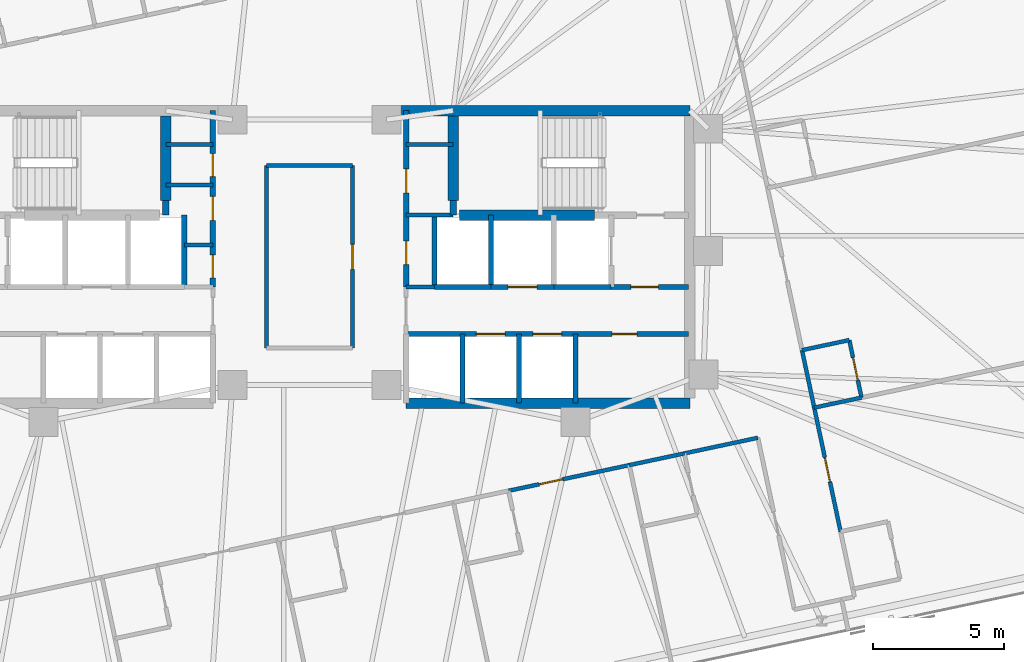
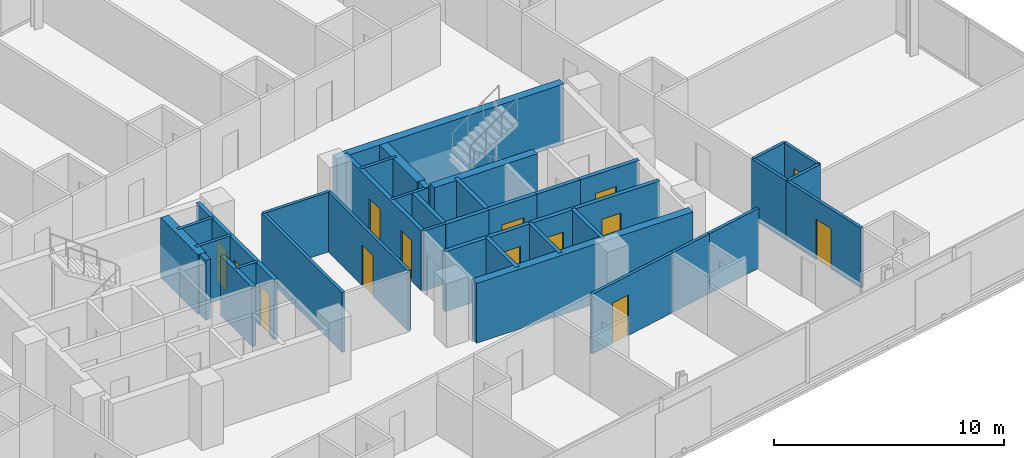
# One storey, part 16 of 20: 37 walls, 14 doors, 14 openings.
"""IFC4 building model written with IfcOpenShell, lengths in metres."""

from ifc_helpers import new_model, si_unit, direction, frame, frame_2d, origin, place, context, subcontext, project, spatial, rectangle, extrude, material, layer, layer_set, type_object, element, fill, save


model = new_model("IFC4")

# Units and contexts
model_context = context("Model", 3, precision=1e-05, world=origin(), true_north=direction((0.0, 1.0)))
body_context = subcontext(model_context, "Body", "Model", "MODEL_VIEW")
ifc_project = project(units=[si_unit("LENGTHUNIT", "METRE"), si_unit("AREAUNIT", "SQUARE_METRE"), si_unit("VOLUMEUNIT", "CUBIC_METRE"), si_unit("PLANEANGLEUNIT", "RADIAN"), si_unit("MASSUNIT", "GRAM", prefix="KILO")], contexts=[model_context])

# Site, building, storey
site_placement = place(None, origin())
site = spatial("IfcSite", under=ifc_project, at=site_placement, CompositionType="ELEMENT")
building_placement = place(site_placement, origin())
building = spatial("IfcBuilding", under=site, at=building_placement, Name="Menara Jurai Vektor", CompositionType="ELEMENT")
storey_placement = place(building_placement, frame((0.0, 0.0, 178.60009765625)))
storey = spatial("IfcBuildingStorey", under=building, at=storey_placement, Name="L46", CompositionType="ELEMENT", Elevation=178.60009765625)

# Walls
ifc_material_1 = material(Name="Concrete C40/50", Category="concrete")
ifc_layer_1 = layer(ifc_material_1, 0.25)
ifc_layer_set_1 = layer_set([ifc_layer_1], Name="Concrete C40/50")
wall_type_1 = type_object("IfcWallType", Name="INT-WALL-CORE-250", PredefinedType="STANDARD", material=ifc_layer_set_1)
for number, where, z_axis, x_axis, name in (
    (1, (-5.5, 1.60009765625, 0.0), (0.0, 0.0, 1.0), (0.0, 1.0, 0.0), "Interior Wall IW-250 L46"),
    (2, (5.5, 1.60009765625, 0.0), (0.0, 0.0, 1.0), (0.0, 1.0, 0.0), "Interior Wall IW-250 L46"),
):
    element("IfcWall", number, at=place(storey_placement, frame(where, z_axis=z_axis, x_axis=x_axis)), inside=storey, type_object=wall_type_1, Name=name, PredefinedType="STANDARD", context=body_context, shape_type="SweptSolid", body=[
        extrude(rectangle(XDim=0.5498046875, YDim=0.25, at=frame_2d((0.27490234375, 0.0))), origin(), (0.0, 0.0, 1.0), 3.1748046875),
    ])

# Wall, opening, door
wall_1_placement = place(storey_placement, frame((11.550048828125, -1.14990234375, 0.0), z_axis=(0.0, 0.0, 1.0), x_axis=(1.0, 0.0, 0.0)))
wall_1 = element("IfcWall", 3, at=wall_1_placement, inside=storey, type_object=wall_type_1, Name="Interior Wall IW-250 L46", PredefinedType="STANDARD", context=body_context, shape_type="SweptSolid", body=[
    extrude(rectangle(XDim=2.949951171875, YDim=0.199951171875, at=frame_2d((1.47509765625, 0.0))), origin(), (0.0, 0.0, 1.0), 3.1748046875),
])
opening_1_placement = place(wall_1_placement, frame((0.75, 0.0, 0.0)))
opening_1 = element("IfcOpeningElement", 4, at=opening_1_placement, cuts=wall_1, Name="Opening D-L46-FFE", PredefinedType="OPENING", context=body_context, shape_type="SweptSolid", body=[
    extrude(rectangle(XDim=1.050048828125, YDim=2.179931640625, at=frame_2d((0.52490234375, 1.08984375))), frame((0.0, 0.10986328125, 0.0), z_axis=(0.0, -1.0, 0.0), x_axis=(1.0, 0.0, 0.0)), (0.0, 0.0, 1.0), 0.219970703125),
])
ifc_material_2 = material(Name="Fire-Rated Timber Door", Category="wood")
door_type_1 = type_object("IfcDoorType", Name="DR-LOBBY-1050", OperationType="NOTDEFINED", PredefinedType="DOOR", material=ifc_material_2)
door_1_placement = place(opening_1_placement, origin())
door_1 = element("IfcDoor", 5, at=door_1_placement, inside=storey, type_object=door_type_1, Name="Fire Lift Lobby Door E L46", OperationType="SINGLE_SWING_LEFT", OverallHeight=2.179931640625, OverallWidth=1.050048828125, PredefinedType="DOOR", context=body_context, shape_type="SweptSolid", body=[
    extrude(rectangle(XDim=1.050048828125, YDim=2.179931640625, at=frame_2d((0.52490234375, 1.08984375))), frame((0.0, 0.02490234375, 0.0), z_axis=(0.0, -1.0, 0.0), x_axis=(1.0, 0.0, 0.0)), (0.0, 0.0, 1.0), 0.050048828125),
])
fill(opening_1, door_1)

# Walls
wall_2_placement = place(storey_placement, frame((9.35009765625, -1.14990234375, 0.0), z_axis=(0.0, 0.0, 1.0), x_axis=(1.0, 0.0, 0.0)))
element("IfcWall", 6, at=wall_2_placement, inside=storey, type_object=wall_type_1, Name="Interior Wall IW-250 L46", PredefinedType="STANDARD", context=body_context, shape_type="SweptSolid", body=[
    extrude(rectangle(XDim=2.199951171875, YDim=0.199951171875, at=frame_2d((1.10009765625, 0.0))), origin(), (0.0, 0.0, 1.0), 3.1748046875),
])
ifc_material_3 = material(Name="Gypsum Fireboard Partition", Category="gypsum")
ifc_layer_2 = layer(ifc_material_3, 0.14990234375)
ifc_layer_set_2 = layer_set([ifc_layer_2], Name="Gypsum Fireboard Partition")
wall_type_2 = type_object("IfcWallType", Name="INT-WALL-CORR-150", PredefinedType="PARTITIONING", material=ifc_layer_set_2)
wall_3_placement = place(storey_placement, frame((3.699951171875, -1.14990234375, 0.0), z_axis=(0.0, 0.0, 1.0), x_axis=(1.0, 0.0, 0.0)))
element("IfcWall", 7, at=wall_3_placement, inside=storey, type_object=wall_type_2, Name="Interior Wall IW-150 L46", PredefinedType="PARTITIONING", context=body_context, shape_type="SweptSolid", body=[
    extrude(rectangle(XDim=1.090087890625, YDim=0.14990234375, at=frame_2d((0.544921875, 0.0))), origin(), (0.0, 0.0, 1.0), 3.1748046875),
])
wall_4_placement = place(storey_placement, frame((-5.5, 4.300048828125, 0.0), z_axis=(0.0, 0.0, 1.0), x_axis=(1.0, 0.0, 0.0)))
element("IfcWall", 8, at=wall_4_placement, inside=storey, type_object=wall_type_2, Name="Interior Wall IW-150 L46", PredefinedType="PARTITIONING", context=body_context, shape_type="SweptSolid", body=[
    extrude(rectangle(XDim=1.800048828125, YDim=0.14990234375, at=frame_2d((0.89990234375, 0.0))), origin(), (0.0, 0.0, 1.0), 3.1748046875),
])
wall_5_placement = place(storey_placement, frame((-4.7900390625, 0.449951171875, 0.0), z_axis=(0.0, 0.0, 1.0), x_axis=(1.0, 0.0, 0.0)))
element("IfcWall", 9, at=wall_5_placement, inside=storey, type_object=wall_type_2, Name="Interior Wall IW-150 L46", PredefinedType="PARTITIONING", context=body_context, shape_type="SweptSolid", body=[
    extrude(rectangle(XDim=1.090087890625, YDim=0.14990234375, at=frame_2d((0.544921875, 0.0))), origin(), (0.0, 0.0, 1.0), 3.1748046875),
])
for number, where, z_axis, x_axis, name in (
    (10, (-5.5, 2.75, 0.0), (0.0, 0.0, 1.0), (1.0, 0.0, 0.0), "Interior Wall IW-150 L46"),
    (11, (3.699951171875, 4.300048828125, 0.0), (0.0, 0.0, 1.0), (1.0, 0.0, 0.0), "Interior Wall IW-150 L46"),
    (12, (3.699951171875, 1.60009765625, 0.0), (0.0, 0.0, 1.0), (1.0, 0.0, 0.0), "Interior Wall IW-150 L46"),
):
    element("IfcWall", number, at=place(storey_placement, frame(where, z_axis=z_axis, x_axis=x_axis)), inside=storey, type_object=wall_type_2, Name=name, PredefinedType="PARTITIONING", context=body_context, shape_type="SweptSolid", body=[
        extrude(rectangle(XDim=1.800048828125, YDim=0.14990234375, at=frame_2d((0.89990234375, 0.0))), origin(), (0.0, 0.0, 1.0), 3.1748046875),
    ])
wall_6_placement = place(storey_placement, frame((-1.64990234375, -3.489501953125, 0.0), z_axis=(0.0, 0.0, 1.0), x_axis=(-3.4979712e-05, 0.999999999388, 0.0)))
element("IfcWall", 13, at=wall_6_placement, inside=storey, type_object=wall_type_2, Name="Interior Wall IW-150 L46", PredefinedType="PARTITIONING", context=body_context, shape_type="SweptSolid", body=[
    extrude(rectangle(XDim=6.9794921875, YDim=0.14990234375, at=frame_2d((3.48974609375, 0.0))), origin(), (0.0, 0.0, 1.0), 3.1748046875),
])
wall_7_placement = place(storey_placement, frame((-1.650146484375, 3.489990234375, 0.0), z_axis=(0.0, 0.0, 1.0), x_axis=(1.0, 0.0, 0.0)))
element("IfcWall", 14, at=wall_7_placement, inside=storey, type_object=wall_type_2, Name="Interior Wall IW-150 L46", PredefinedType="PARTITIONING", context=body_context, shape_type="SweptSolid", body=[
    extrude(rectangle(XDim=3.300048828125, YDim=0.14990234375, at=frame_2d((1.64990234375, 0.0))), origin(), (0.0, 0.0, 1.0), 3.1748046875),
])

# Wall, opening, door
wall_8_placement = place(storey_placement, frame((1.650390625, -3.490234375, 0.0), z_axis=(0.0, 0.0, 1.0), x_axis=(-6.9952083e-05, 0.999999997553, 0.0)))
wall_8 = element("IfcWall", 15, at=wall_8_placement, inside=storey, type_object=wall_type_2, Name="Interior Wall IW-150 L46", PredefinedType="PARTITIONING", context=body_context, shape_type="SweptSolid", body=[
    extrude(rectangle(XDim=6.980224609375, YDim=0.14990234375, at=frame_2d((3.490234375, 0.0))), origin(), (0.0, 0.0, 1.0), 3.1748046875),
])
opening_2_placement = place(wall_8_placement, frame((3.01513671875, 0.0, 0.0)))
opening_2 = element("IfcOpeningElement", 16, at=opening_2_placement, cuts=wall_8, Name="Opening D46-08", PredefinedType="OPENING", context=body_context, shape_type="SweptSolid", body=[
    extrude(rectangle(XDim=0.949951171875, YDim=2.14990234375, at=frame_2d((0.47509765625, 1.074951171875))), frame((0.0, 0.0849609375, 0.0), z_axis=(0.0, -1.0, 0.0), x_axis=(1.0, 0.0, 0.0)), (0.0, 0.0, 1.0), 0.169921875),
])
ifc_material_4 = material(Name="Solid Core Timber Fire Door", Category="wood")
door_type_2 = type_object("IfcDoorType", Name="DR-ENTRY-950", OperationType="NOTDEFINED", PredefinedType="DOOR", material=ifc_material_4)
door_2_placement = place(opening_2_placement, origin())
door_2 = element("IfcDoor", 17, at=door_2_placement, inside=storey, type_object=door_type_2, Name="Interior Door D46-08", OperationType="SINGLE_SWING_LEFT", OverallHeight=2.14990234375, OverallWidth=0.949951171875, PredefinedType="DOOR", context=body_context, shape_type="SweptSolid", body=[
    extrude(rectangle(XDim=0.949951171875, YDim=2.14990234375, at=frame_2d((0.47509765625, 1.074951171875))), frame((0.0, 0.02490234375, 0.0), z_axis=(0.0, -1.0, 0.0), x_axis=(1.0, 0.0, 0.0)), (0.0, 0.0, 1.0), 0.050048828125),
])
fill(opening_2, door_2)

wall_9_placement = place(storey_placement, frame((7.61767578125, -8.9541015625, 0.0), z_axis=(0.0, 0.0, 1.0), x_axis=(0.978140347221, 0.207945812984, 0.0)))
wall_9 = element("IfcWall", 18, at=wall_9_placement, inside=storey, type_object=wall_type_2, Name="Interior Wall IW-150 L46", PredefinedType="PARTITIONING", context=body_context, shape_type="SweptSolid", body=[
    extrude(rectangle(XDim=4.72900390625, YDim=0.14990234375, at=frame_2d((2.364501953125, 0.0))), origin(), (0.0, 0.0, 1.0), 3.1748046875),
])
opening_3_placement = place(wall_9_placement, frame((1.1953125, 0.0, 0.0)))
opening_3 = element("IfcOpeningElement", 19, at=opening_3_placement, cuts=wall_9, Name="Opening D46-25", PredefinedType="OPENING", context=body_context, shape_type="SweptSolid", body=[
    extrude(rectangle(XDim=0.919921875, YDim=2.14990234375, at=frame_2d((0.4599609375, 1.074951171875))), frame((0.0, 0.0849609375, 0.0), z_axis=(0.0, -1.0, 0.0), x_axis=(1.0, 0.0, 0.0)), (0.0, 0.0, 1.0), 0.169921875),
])
door_3_placement = place(opening_3_placement, origin())
door_3 = element("IfcDoor", 20, at=door_3_placement, inside=storey, type_object=door_type_2, Name="Interior Door D46-25", OperationType="SINGLE_SWING_RIGHT", OverallHeight=2.14990234375, OverallWidth=0.919921875, PredefinedType="DOOR", context=body_context, shape_type="SweptSolid", body=[
    extrude(rectangle(XDim=0.919921875, YDim=2.14990234375, at=frame_2d((0.4599609375, 1.074951171875))), frame((0.0, 0.02490234375, 0.0), z_axis=(0.0, -1.0, 0.0), x_axis=(1.0, 0.0, 0.0)), (0.0, 0.0, 1.0), 0.050048828125),
])
fill(opening_3, door_3)

# Walls
wall_10_placement = place(storey_placement, frame((14.346435546875, -7.523681640625, 0.0), z_axis=(0.0, 0.0, 1.0), x_axis=(0.97816208355, 0.207843542851, 0.0)))
element("IfcWall", 21, at=wall_10_placement, inside=storey, type_object=wall_type_2, Name="Interior Wall IW-150 L46", PredefinedType="PARTITIONING", context=body_context, shape_type="SweptSolid", body=[
    extrude(rectangle(XDim=2.879150390625, YDim=0.14990234375, at=frame_2d((1.439453125, 0.0))), origin(), (0.0, 0.0, 1.0), 3.1748046875),
])
wall_11_placement = place(storey_placement, frame((12.243408203125, -7.970703125, 0.0), z_axis=(0.0, 0.0, 1.0), x_axis=(0.978146728319, 0.207915795165, 0.0)))
element("IfcWall", 22, at=wall_11_placement, inside=storey, type_object=wall_type_2, Name="Interior Wall IW-150 L46", PredefinedType="PARTITIONING", context=body_context, shape_type="SweptSolid", body=[
    extrude(rectangle(XDim=2.14990234375, YDim=0.14990234375, at=frame_2d((1.074951171875, 0.0))), origin(), (0.0, 0.0, 1.0), 3.1748046875),
])

# Wall, opening, door
wall_12_placement = place(storey_placement, frame((20.328125, -10.515380859375, 0.0), z_axis=(0.0, 0.0, 1.0), x_axis=(-0.207950868925, 0.97813927235, 0.0)))
wall_12 = element("IfcWall", 23, at=wall_12_placement, inside=storey, type_object=wall_type_2, Name="Interior Wall IW-150 L46", PredefinedType="PARTITIONING", context=body_context, shape_type="SweptSolid", body=[
    extrude(rectangle(XDim=4.849853515625, YDim=0.14990234375, at=frame_2d((2.4248046875, 0.0))), origin(), (0.0, 0.0, 1.0), 3.1748046875),
])
opening_4_placement = place(wall_12_placement, frame((1.949951171875, 0.0, 0.0)))
opening_4 = element("IfcOpeningElement", 24, at=opening_4_placement, cuts=wall_12, Name="Opening D46-39", PredefinedType="OPENING", context=body_context, shape_type="SweptSolid", body=[
    extrude(rectangle(XDim=0.949951171875, YDim=2.14990234375, at=frame_2d((0.47509765625, 1.074951171875))), frame((0.0, 0.0849609375, 0.0), z_axis=(0.0, -1.0, 0.0), x_axis=(1.0, 0.0, 0.0)), (0.0, 0.0, 1.0), 0.169921875),
])
door_4_placement = place(opening_4_placement, origin())
door_4 = element("IfcDoor", 25, at=door_4_placement, inside=storey, type_object=door_type_2, Name="Interior Door D46-39", OperationType="SINGLE_SWING_RIGHT", OverallHeight=2.14990234375, OverallWidth=0.949951171875, PredefinedType="DOOR", context=body_context, shape_type="SweptSolid", body=[
    extrude(rectangle(XDim=0.949951171875, YDim=2.14990234375, at=frame_2d((0.47509765625, 1.074951171875))), frame((0.0, 0.02490234375, 0.0), z_axis=(0.0, -1.0, 0.0), x_axis=(1.0, 0.0, 0.0)), (0.0, 0.0, 1.0), 0.050048828125),
])
fill(opening_4, door_4)

# Walls
wall_13_placement = place(storey_placement, frame((19.319580078125, -5.771484375, 0.0), z_axis=(0.0, 0.0, 1.0), x_axis=(-0.207913264065, 0.978147266328, 0.0)))
element("IfcWall", 26, at=wall_13_placement, inside=storey, type_object=wall_type_2, Name="Interior Wall IW-150 L46", PredefinedType="PARTITIONING", context=body_context, shape_type="SweptSolid", body=[
    extrude(rectangle(XDim=2.249755859375, YDim=0.14990234375, at=frame_2d((1.125, 0.0))), origin(), (0.0, 0.0, 1.0), 3.1748046875),
])
wall_14_placement = place(storey_placement, frame((19.319580078125, -5.771484375, 0.0), z_axis=(0.0, 0.0, 1.0), x_axis=(0.978165892835, 0.207825614625, 0.0)))
element("IfcWall", 27, at=wall_14_placement, inside=storey, type_object=wall_type_2, Name="Interior Wall IW-150 L46", PredefinedType="PARTITIONING", context=body_context, shape_type="SweptSolid", body=[
    extrude(rectangle(XDim=1.85009765625, YDim=0.14990234375, at=frame_2d((0.925048828125, 0.0))), origin(), (0.0, 0.0, 1.0), 3.1748046875),
])
wall_15_placement = place(storey_placement, frame((18.851806640625, -3.57080078125, 0.0), z_axis=(0.0, 0.0, 1.0), x_axis=(0.978139061018, 0.207951862966, 0.0)))
element("IfcWall", 28, at=wall_15_placement, inside=storey, type_object=wall_type_2, Name="Interior Wall IW-150 L46", PredefinedType="PARTITIONING", context=body_context, shape_type="SweptSolid", body=[
    extrude(rectangle(XDim=1.850341796875, YDim=0.14990234375, at=frame_2d((0.92529296875, 0.0))), origin(), (0.0, 0.0, 1.0), 3.1748046875),
])

# Wall, opening, door
wall_16_placement = place(storey_placement, frame((21.12939453125, -5.386962890625, 0.0), z_axis=(0.0, 0.0, 1.0), x_axis=(-0.207891197838, 0.978151956427, 0.0)))
wall_16 = element("IfcWall", 29, at=wall_16_placement, inside=storey, type_object=wall_type_2, Name="Interior Wall IW-150 L46", PredefinedType="PARTITIONING", context=body_context, shape_type="SweptSolid", body=[
    extrude(rectangle(XDim=2.25, YDim=0.14990234375, at=frame_2d((1.125, 0.0))), origin(), (0.0, 0.0, 1.0), 3.1748046875),
])
opening_5_placement = place(wall_16_placement, frame((0.68505859375, 0.0, 0.0)))
opening_5 = element("IfcOpeningElement", 30, at=opening_5_placement, cuts=wall_16, Name="Opening D46-42", PredefinedType="OPENING", context=body_context, shape_type="SweptSolid", body=[
    extrude(rectangle(XDim=0.8798828125, YDim=2.14990234375, at=frame_2d((0.43994140625, 1.074951171875))), frame((0.0, 0.0849609375, 0.0), z_axis=(0.0, -1.0, 0.0), x_axis=(1.0, 0.0, 0.0)), (0.0, 0.0, 1.0), 0.169921875),
])
ifc_material_5 = material(Name="Moisture-Resistant Timber Door", Category="wood")
door_type_3 = type_object("IfcDoorType", Name="DR-BATH-880", OperationType="NOTDEFINED", PredefinedType="DOOR", material=ifc_material_5)
door_5_placement = place(opening_5_placement, origin())
door_5 = element("IfcDoor", 31, at=door_5_placement, inside=storey, type_object=door_type_3, Name="Interior Door D46-42", OperationType="SINGLE_SWING_LEFT", OverallHeight=2.14990234375, OverallWidth=0.8798828125, PredefinedType="DOOR", context=body_context, shape_type="SweptSolid", body=[
    extrude(rectangle(XDim=0.8798828125, YDim=2.14990234375, at=frame_2d((0.43994140625, 1.074951171875))), frame((0.0, 0.02490234375, 0.0), z_axis=(0.0, -1.0, 0.0), x_axis=(1.0, 0.0, 0.0)), (0.0, 0.0, 1.0), 0.050048828125),
])
fill(opening_5, door_5)

# Wall, openings, doors
ifc_layer_3 = layer(ifc_material_1, 0.199951171875)
ifc_layer_set_3 = layer_set([ifc_layer_3], Name="Concrete C40/50")
wall_type_3 = type_object("IfcWallType", Name="INT-WALL-SHAFT-200", PredefinedType="STANDARD", material=ifc_layer_set_3)
wall_17_placement = place(storey_placement, frame((-3.699951171875, -1.14990234375, 0.0), z_axis=(0.0, 0.0, 1.0), x_axis=(0.0, 1.0, 0.0)))
wall_17 = element("IfcWall", 32, at=wall_17_placement, inside=storey, type_object=wall_type_3, Name="Interior Wall IW-200 L46", PredefinedType="STANDARD", context=body_context, shape_type="SweptSolid", body=[
    extrude(rectangle(XDim=6.75, YDim=0.199951171875, at=frame_2d((3.375, 0.0))), origin(), (0.0, 0.0, 1.0), 3.1748046875),
])
opening_6_placement = place(wall_17_placement, frame((0.35009765625, 0.0, 0.0)))
opening_6 = element("IfcOpeningElement", 33, at=opening_6_placement, cuts=wall_17, Name="Opening D46-02", PredefinedType="OPENING", context=body_context, shape_type="SweptSolid", body=[
    extrude(rectangle(XDim=0.8798828125, YDim=2.14990234375, at=frame_2d((0.43994140625, 1.074951171875))), frame((0.0, 0.10986328125, 0.0), z_axis=(0.0, -1.0, 0.0), x_axis=(1.0, 0.0, 0.0)), (0.0, 0.0, 1.0), 0.219970703125),
])
opening_7_placement = place(wall_17_placement, frame((2.550048828125, 0.0, 0.0)))
opening_7 = element("IfcOpeningElement", 34, at=opening_7_placement, cuts=wall_17, Name="Opening D46-03", PredefinedType="OPENING", context=body_context, shape_type="SweptSolid", body=[
    extrude(rectangle(XDim=0.919921875, YDim=2.14990234375, at=frame_2d((0.4599609375, 1.074951171875))), frame((0.0, 0.10986328125, 0.0), z_axis=(0.0, -1.0, 0.0), x_axis=(1.0, 0.0, 0.0)), (0.0, 0.0, 1.0), 0.219970703125),
])
opening_8_placement = place(wall_17_placement, frame((4.219970703125, 0.0, 0.0)))
opening_8 = element("IfcOpeningElement", 35, at=opening_8_placement, cuts=wall_17, Name="Opening D46-04", PredefinedType="OPENING", context=body_context, shape_type="SweptSolid", body=[
    extrude(rectangle(XDim=0.8798828125, YDim=2.14990234375, at=frame_2d((0.43994140625, 1.074951171875))), frame((0.0, 0.10986328125, 0.0), z_axis=(0.0, -1.0, 0.0), x_axis=(1.0, 0.0, 0.0)), (0.0, 0.0, 1.0), 0.219970703125),
])
door_6_placement = place(opening_6_placement, origin())
door_6 = element("IfcDoor", 36, at=door_6_placement, inside=storey, type_object=door_type_2, Name="Interior Door D46-02", OperationType="SINGLE_SWING_LEFT", OverallHeight=2.14990234375, OverallWidth=0.8798828125, PredefinedType="DOOR", context=body_context, shape_type="SweptSolid", body=[
    extrude(rectangle(XDim=0.8798828125, YDim=2.14990234375, at=frame_2d((0.43994140625, 1.074951171875))), frame((0.0, 0.02490234375, 0.0), z_axis=(0.0, -1.0, 0.0), x_axis=(1.0, 0.0, 0.0)), (0.0, 0.0, 1.0), 0.050048828125),
])
fill(opening_6, door_6)
door_7_placement = place(opening_7_placement, origin())
door_7 = element("IfcDoor", 37, at=door_7_placement, inside=storey, type_object=door_type_2, Name="Interior Door D46-03", OperationType="SINGLE_SWING_LEFT", OverallHeight=2.14990234375, OverallWidth=0.919921875, PredefinedType="DOOR", context=body_context, shape_type="SweptSolid", body=[
    extrude(rectangle(XDim=0.919921875, YDim=2.14990234375, at=frame_2d((0.4599609375, 1.074951171875))), frame((0.0, 0.02490234375, 0.0), z_axis=(0.0, -1.0, 0.0), x_axis=(1.0, 0.0, 0.0)), (0.0, 0.0, 1.0), 0.050048828125),
])
fill(opening_7, door_7)
door_8_placement = place(opening_8_placement, origin())
door_8 = element("IfcDoor", 38, at=door_8_placement, inside=storey, type_object=door_type_2, Name="Interior Door D46-04", OperationType="SINGLE_SWING_LEFT", OverallHeight=2.14990234375, OverallWidth=0.8798828125, PredefinedType="DOOR", context=body_context, shape_type="SweptSolid", body=[
    extrude(rectangle(XDim=0.8798828125, YDim=2.14990234375, at=frame_2d((0.43994140625, 1.074951171875))), frame((0.0, 0.02490234375, 0.0), z_axis=(0.0, -1.0, 0.0), x_axis=(1.0, 0.0, 0.0)), (0.0, 0.0, 1.0), 0.050048828125),
])
fill(opening_8, door_8)

# Wall
wall_18_placement = place(storey_placement, frame((-4.7900390625, -1.14990234375, 0.0), z_axis=(0.0, 0.0, 1.0), x_axis=(0.0, 1.0, 0.0)))
element("IfcWall", 39, at=wall_18_placement, inside=storey, type_object=wall_type_3, Name="Interior Wall IW-200 L46", PredefinedType="STANDARD", context=body_context, shape_type="SweptSolid", body=[
    extrude(rectangle(XDim=2.75, YDim=0.199951171875, at=frame_2d((1.375, 0.0))), origin(), (0.0, 0.0, 1.0), 3.1748046875),
])

# Wall, openings, doors
wall_19_placement = place(storey_placement, frame((3.699951171875, -1.14990234375, 0.0), z_axis=(0.0, 0.0, 1.0), x_axis=(0.0, 1.0, 0.0)))
wall_19 = element("IfcWall", 40, at=wall_19_placement, inside=storey, type_object=wall_type_3, Name="Interior Wall IW-200 L46", PredefinedType="STANDARD", context=body_context, shape_type="SweptSolid", body=[
    extrude(rectangle(XDim=6.75, YDim=0.199951171875, at=frame_2d((3.375, 0.0))), origin(), (0.0, 0.0, 1.0), 3.1748046875),
])
opening_9_placement = place(wall_19_placement, frame((3.60009765625, 0.0, 0.0)))
opening_9 = element("IfcOpeningElement", 41, at=opening_9_placement, cuts=wall_19, Name="Opening D46-06", PredefinedType="OPENING", context=body_context, shape_type="SweptSolid", body=[
    extrude(rectangle(XDim=0.919921875, YDim=2.14990234375, at=frame_2d((0.4599609375, 1.074951171875))), frame((0.0, 0.10986328125, 0.0), z_axis=(0.0, -1.0, 0.0), x_axis=(1.0, 0.0, 0.0)), (0.0, 0.0, 1.0), 0.219970703125),
])
opening_10_placement = place(wall_19_placement, frame((0.85009765625, 0.0, 0.0)))
opening_10 = element("IfcOpeningElement", 42, at=opening_10_placement, cuts=wall_19, Name="Opening D46-07", PredefinedType="OPENING", context=body_context, shape_type="SweptSolid", body=[
    extrude(rectangle(XDim=0.89990234375, YDim=2.14990234375, at=frame_2d((0.449951171875, 1.074951171875))), frame((0.0, 0.10986328125, 0.0), z_axis=(0.0, -1.0, 0.0), x_axis=(1.0, 0.0, 0.0)), (0.0, 0.0, 1.0), 0.219970703125),
])
door_9_placement = place(opening_9_placement, origin())
door_9 = element("IfcDoor", 43, at=door_9_placement, inside=storey, type_object=door_type_2, Name="Interior Door D46-06", OperationType="SINGLE_SWING_RIGHT", OverallHeight=2.14990234375, OverallWidth=0.919921875, PredefinedType="DOOR", context=body_context, shape_type="SweptSolid", body=[
    extrude(rectangle(XDim=0.919921875, YDim=2.14990234375, at=frame_2d((0.4599609375, 1.074951171875))), frame((0.0, 0.02490234375, 0.0), z_axis=(0.0, -1.0, 0.0), x_axis=(1.0, 0.0, 0.0)), (0.0, 0.0, 1.0), 0.050048828125),
])
fill(opening_9, door_9)
door_10_placement = place(opening_10_placement, origin())
door_10 = element("IfcDoor", 44, at=door_10_placement, inside=storey, type_object=door_type_2, Name="Interior Door D46-07", OperationType="SINGLE_SWING_RIGHT", OverallHeight=2.14990234375, OverallWidth=0.89990234375, PredefinedType="DOOR", context=body_context, shape_type="SweptSolid", body=[
    extrude(rectangle(XDim=0.89990234375, YDim=2.14990234375, at=frame_2d((0.449951171875, 1.074951171875))), frame((0.0, 0.02490234375, 0.0), z_axis=(0.0, -1.0, 0.0), x_axis=(1.0, 0.0, 0.0)), (0.0, 0.0, 1.0), 0.050048828125),
])
fill(opening_10, door_10)

# Wall
wall_20_placement = place(storey_placement, frame((6.949951171875, -1.14990234375, 0.0), z_axis=(0.0, 0.0, 1.0), x_axis=(0.0, 1.0, 0.0)))
element("IfcWall", 45, at=wall_20_placement, inside=storey, type_object=wall_type_3, Name="Interior Wall IW-200 L46", PredefinedType="STANDARD", context=body_context, shape_type="SweptSolid", body=[
    extrude(rectangle(XDim=2.75, YDim=0.199951171875, at=frame_2d((1.375, 0.0))), origin(), (0.0, 0.0, 1.0), 3.1748046875),
])

# Wall, opening, door
wall_21_placement = place(storey_placement, frame((6.949951171875, -1.14990234375, 0.0), z_axis=(0.0, 0.0, 1.0), x_axis=(1.0, 0.0, 0.0)))
wall_21 = element("IfcWall", 46, at=wall_21_placement, inside=storey, type_object=wall_type_3, Name="Interior Wall IW-200 L46", PredefinedType="STANDARD", context=body_context, shape_type="SweptSolid", body=[
    extrude(rectangle(XDim=2.400146484375, YDim=0.199951171875, at=frame_2d((1.2001953125, 0.0))), origin(), (0.0, 0.0, 1.0), 3.1748046875),
])
opening_11_placement = place(wall_21_placement, frame((0.64990234375, 0.0, 0.0)))
opening_11 = element("IfcOpeningElement", 47, at=opening_11_placement, cuts=wall_21, Name="Opening LD-L46-SVL2", PredefinedType="OPENING", context=body_context, shape_type="SweptSolid", body=[
    extrude(rectangle(XDim=1.10009765625, YDim=2.14990234375, at=frame_2d((0.550048828125, 1.074951171875))), frame((0.0, 0.10986328125, 0.0), z_axis=(0.0, -1.0, 0.0), x_axis=(1.0, 0.0, 0.0)), (0.0, 0.0, 1.0), 0.219970703125),
])
ifc_material_6 = material(Name="Anodised Stainless Sliding Lift Landing Door", Category="steel")
door_type_4 = type_object("IfcDoorType", Name="DR-LIFT-PASS-1100", OperationType="NOTDEFINED", PredefinedType="DOOR", material=ifc_material_6)
door_11_placement = place(opening_11_placement, origin())
door_11 = element("IfcDoor", 48, at=door_11_placement, inside=storey, type_object=door_type_4, Name="Lift Landing Door SVL2 L46", OperationType="SLIDING_TO_RIGHT", OverallHeight=2.14990234375, OverallWidth=1.10009765625, PredefinedType="DOOR", context=body_context, shape_type="SweptSolid", body=[
    extrude(rectangle(XDim=1.10009765625, YDim=2.14990234375, at=frame_2d((0.550048828125, 1.074951171875))), frame((0.0, 0.02490234375, 0.0), z_axis=(0.0, -1.0, 0.0), x_axis=(1.0, 0.0, 0.0)), (0.0, 0.0, 1.0), 0.050048828125),
])
fill(opening_11, door_11)

# Walls
wall_22_placement = place(storey_placement, frame((4.7900390625, -1.14990234375, 0.0), z_axis=(0.0, 0.0, 1.0), x_axis=(0.0, 1.0, 0.0)))
element("IfcWall", 49, at=wall_22_placement, inside=storey, type_object=wall_type_3, Name="Interior Wall IW-200 L46", PredefinedType="STANDARD", context=body_context, shape_type="SweptSolid", body=[
    extrude(rectangle(XDim=2.75, YDim=0.199951171875, at=frame_2d((1.375, 0.0))), origin(), (0.0, 0.0, 1.0), 3.1748046875),
])
wall_23_placement = place(storey_placement, frame((4.7900390625, -1.14990234375, 0.0), z_axis=(0.0, 0.0, 1.0), x_axis=(1.0, 0.0, 0.0)))
element("IfcWall", 50, at=wall_23_placement, inside=storey, type_object=wall_type_3, Name="Interior Wall IW-200 L46", PredefinedType="STANDARD", context=body_context, shape_type="SweptSolid", body=[
    extrude(rectangle(XDim=2.159912109375, YDim=0.199951171875, at=frame_2d((1.080078125, 0.0))), origin(), (0.0, 0.0, 1.0), 3.1748046875),
])

# Wall, openings, doors
wall_24_placement = place(storey_placement, frame((3.699951171875, -2.949951171875, 0.0), z_axis=(0.0, 0.0, 1.0), x_axis=(1.0, 0.0, 0.0)))
wall_24 = element("IfcWall", 51, at=wall_24_placement, inside=storey, type_object=wall_type_3, Name="Interior Wall IW-200 L46", PredefinedType="STANDARD", context=body_context, shape_type="SweptSolid", body=[
    extrude(rectangle(XDim=10.800048828125, YDim=0.199951171875, at=frame_2d((5.39990234375, 0.0))), origin(), (0.0, 0.0, 1.0), 3.1748046875),
])
opening_12_placement = place(wall_24_placement, frame((2.68994140625, 0.0, 0.0)))
opening_12 = element("IfcOpeningElement", 52, at=opening_12_placement, cuts=wall_24, Name="Opening LD-L46-PM3", PredefinedType="OPENING", context=body_context, shape_type="SweptSolid", body=[
    extrude(rectangle(XDim=1.10009765625, YDim=2.14990234375, at=frame_2d((0.550048828125, 1.074951171875))), frame((0.0, 0.10986328125, 0.0), z_axis=(0.0, -1.0, 0.0), x_axis=(1.0, 0.0, 0.0)), (0.0, 0.0, 1.0), 0.219970703125),
])
opening_13_placement = place(wall_24_placement, frame((4.85009765625, 0.0, 0.0)))
opening_13 = element("IfcOpeningElement", 53, at=opening_13_placement, cuts=wall_24, Name="Opening LD-L46-PM4", PredefinedType="OPENING", context=body_context, shape_type="SweptSolid", body=[
    extrude(rectangle(XDim=1.10009765625, YDim=2.14990234375, at=frame_2d((0.550048828125, 1.074951171875))), frame((0.0, 0.10986328125, 0.0), z_axis=(0.0, -1.0, 0.0), x_axis=(1.0, 0.0, 0.0)), (0.0, 0.0, 1.0), 0.219970703125),
])
opening_14_placement = place(wall_24_placement, frame((7.8798828125, 0.0, 0.0)))
opening_14 = element("IfcOpeningElement", 54, at=opening_14_placement, cuts=wall_24, Name="Opening D46-05", PredefinedType="OPENING", context=body_context, shape_type="SweptSolid", body=[
    extrude(rectangle(XDim=0.949951171875, YDim=2.14990234375, at=frame_2d((0.47509765625, 1.074951171875))), frame((0.0, 0.10986328125, 0.0), z_axis=(0.0, -1.0, 0.0), x_axis=(1.0, 0.0, 0.0)), (0.0, 0.0, 1.0), 0.219970703125),
])
door_12_placement = place(opening_14_placement, origin())
door_12 = element("IfcDoor", 55, at=door_12_placement, inside=storey, type_object=door_type_2, Name="Interior Door D46-05", OperationType="SINGLE_SWING_LEFT", OverallHeight=2.14990234375, OverallWidth=0.949951171875, PredefinedType="DOOR", context=body_context, shape_type="SweptSolid", body=[
    extrude(rectangle(XDim=0.949951171875, YDim=2.14990234375, at=frame_2d((0.47509765625, 1.074951171875))), frame((0.0, 0.02490234375, 0.0), z_axis=(0.0, -1.0, 0.0), x_axis=(1.0, 0.0, 0.0)), (0.0, 0.0, 1.0), 0.050048828125),
])
fill(opening_14, door_12)
door_13_placement = place(opening_12_placement, origin())
door_13 = element("IfcDoor", 56, at=door_13_placement, inside=storey, type_object=door_type_4, Name="Lift Landing Door PM3 L46", OperationType="SLIDING_TO_LEFT", OverallHeight=2.14990234375, OverallWidth=1.10009765625, PredefinedType="DOOR", context=body_context, shape_type="SweptSolid", body=[
    extrude(rectangle(XDim=1.10009765625, YDim=2.14990234375, at=frame_2d((0.550048828125, 1.074951171875))), frame((0.0, 0.02490234375, 0.0), z_axis=(0.0, -1.0, 0.0), x_axis=(1.0, 0.0, 0.0)), (0.0, 0.0, 1.0), 0.050048828125),
])
fill(opening_12, door_13)
door_14_placement = place(opening_13_placement, origin())
door_14 = element("IfcDoor", 57, at=door_14_placement, inside=storey, type_object=door_type_4, Name="Lift Landing Door PM4 L46", OperationType="SLIDING_TO_RIGHT", OverallHeight=2.14990234375, OverallWidth=1.10009765625, PredefinedType="DOOR", context=body_context, shape_type="SweptSolid", body=[
    extrude(rectangle(XDim=1.10009765625, YDim=2.14990234375, at=frame_2d((0.550048828125, 1.074951171875))), frame((0.0, 0.02490234375, 0.0), z_axis=(0.0, -1.0, 0.0), x_axis=(1.0, 0.0, 0.0)), (0.0, 0.0, 1.0), 0.050048828125),
])
fill(opening_13, door_14)

# Walls
wall_25_placement = place(storey_placement, frame((5.860107421875, -5.60009765625, 0.0), z_axis=(0.0, 0.0, 1.0), x_axis=(0.0, 1.0, 0.0)))
element("IfcWall", 58, at=wall_25_placement, inside=storey, type_object=wall_type_3, Name="Interior Wall IW-200 L46", PredefinedType="STANDARD", context=body_context, shape_type="SweptSolid", body=[
    extrude(rectangle(XDim=2.650146484375, YDim=0.199951171875, at=frame_2d((1.3251953125, 0.0))), origin(), (0.0, 0.0, 1.0), 3.1748046875),
])
for number, where, z_axis, x_axis, name in (
    (59, (10.179931640625, -5.60009765625, 0.0), (0.0, 0.0, 1.0), (0.0, 1.0, 0.0), "Interior Wall IW-200 L46"),
    (60, (8.02001953125, -5.60009765625, 0.0), (0.0, 0.0, 1.0), (0.0, 1.0, 0.0), "Interior Wall IW-200 L46"),
):
    element("IfcWall", number, at=place(storey_placement, frame(where, z_axis=z_axis, x_axis=x_axis)), inside=storey, type_object=wall_type_3, Name=name, PredefinedType="STANDARD", context=body_context, shape_type="SweptSolid", body=[
        extrude(rectangle(XDim=2.650146484375, YDim=0.179931640625, at=frame_2d((1.3251953125, 0.0))), origin(), (0.0, 0.0, 1.0), 3.1748046875),
    ])
ifc_material_7 = material(Name="Concrete C50/60", Category="concrete")
ifc_layer_4 = layer(ifc_material_7, 0.39990234375)
ifc_layer_set_4 = layer_set([ifc_layer_4], Name="Concrete C50/60")
wall_type_4 = type_object("IfcWallType", Name="STR-WALL-CORE400", PredefinedType="SHEAR", material=ifc_layer_set_4)
wall_26_placement = place(storey_placement, frame((-5.5, 2.14990234375, 0.0), z_axis=(0.0, 0.0, 1.0), x_axis=(0.0, 1.0, 0.0)))
element("IfcWall", 61, at=wall_26_placement, inside=storey, type_object=wall_type_4, Name="Core Shear Wall CW-W-ST L46", PredefinedType="SHEAR", context=body_context, shape_type="SweptSolid", body=[
    extrude(rectangle(XDim=3.25, YDim=0.39990234375, at=frame_2d((1.625, 0.0))), origin(), (0.0, 0.0, 1.0), 3.1748046875),
])
wall_27_placement = place(storey_placement, frame((3.14990234375, 5.60009765625, 0.0), z_axis=(0.0, 0.0, 1.0), x_axis=(1.0, 0.0, 0.0)))
element("IfcWall", 62, at=wall_27_placement, inside=storey, type_object=wall_type_4, Name="Core Shear Wall CW-E-N L46", PredefinedType="SHEAR", context=body_context, shape_type="SweptSolid", body=[
    extrude(rectangle(XDim=11.41015625, YDim=0.39990234375, at=frame_2d((5.705078125, 0.0))), origin(), (0.0, 0.0, 1.0), 3.1748046875),
])
wall_28_placement = place(storey_placement, frame((3.699951171875, -5.60009765625, 0.0), z_axis=(0.0, 0.0, 1.0), x_axis=(1.0, 0.0, 0.0)))
element("IfcWall", 63, at=wall_28_placement, inside=storey, type_object=wall_type_4, Name="Core Shear Wall CW-E-S L46", PredefinedType="SHEAR", context=body_context, shape_type="SweptSolid", body=[
    extrude(rectangle(XDim=10.860107421875, YDim=0.39990234375, at=frame_2d((5.43017578125, 0.0))), origin(), (0.0, 0.0, 1.0), 3.1748046875),
])
wall_29_placement = place(storey_placement, frame((5.5, 2.14990234375, 0.0), z_axis=(0.0, 0.0, 1.0), x_axis=(0.0, 1.0, 0.0)))
element("IfcWall", 64, at=wall_29_placement, inside=storey, type_object=wall_type_4, Name="Core Shear Wall CW-E-ST L46", PredefinedType="SHEAR", context=body_context, shape_type="SweptSolid", body=[
    extrude(rectangle(XDim=3.25, YDim=0.39990234375, at=frame_2d((1.625, 0.0))), origin(), (0.0, 0.0, 1.0), 3.1748046875),
])
wall_30_placement = place(storey_placement, frame((5.75, 1.60009765625, 0.0), z_axis=(0.0, 0.0, 1.0), x_axis=(1.0, 0.0, 0.0)))
element("IfcWall", 65, at=wall_30_placement, inside=storey, type_object=wall_type_4, Name="Core Shear Wall CW-E-STS L46", PredefinedType="SHEAR", context=body_context, shape_type="SweptSolid", body=[
    extrude(rectangle(XDim=5.14990234375, YDim=0.39990234375, at=frame_2d((2.574951171875, 0.0))), origin(), (0.0, 0.0, 1.0), 3.1748046875),
])

save(model, "model.ifc")
